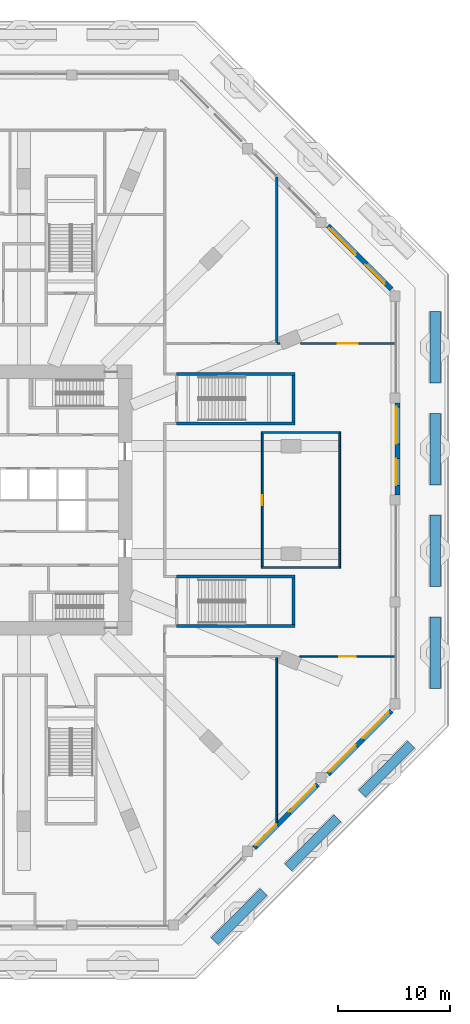
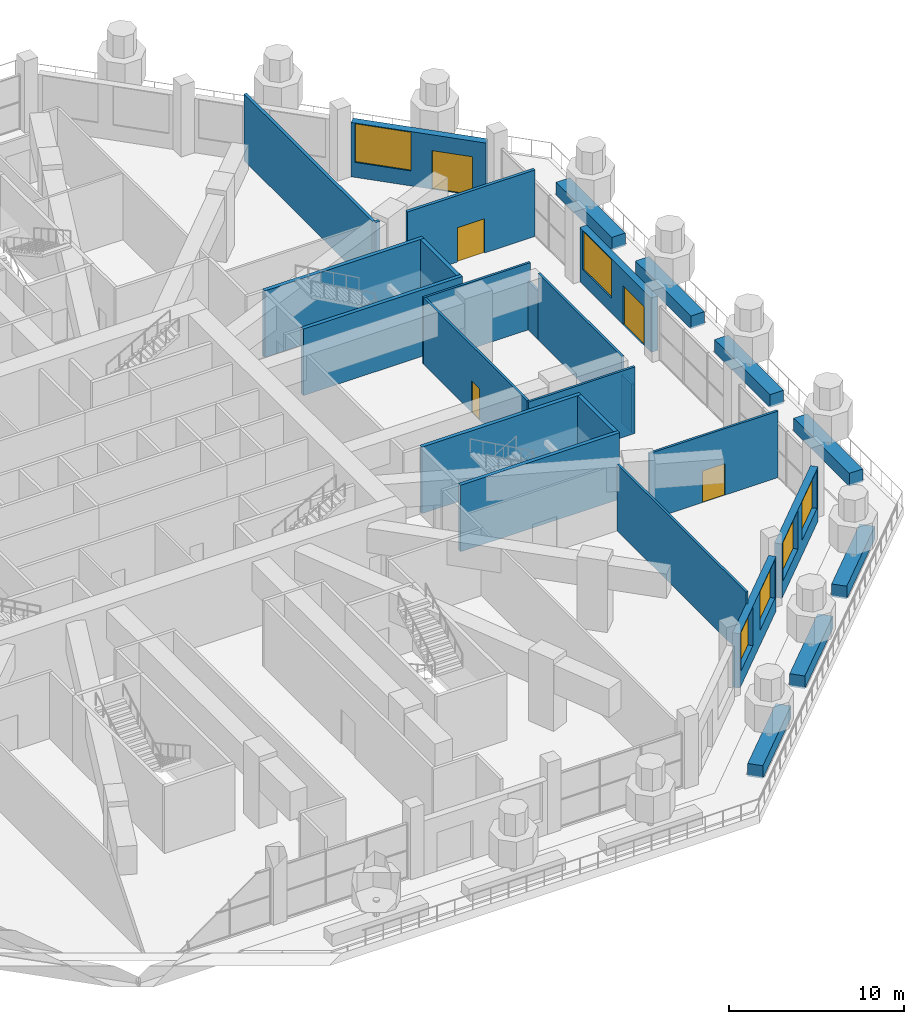
# One storey, part 19 of 25: 28 walls, 6 windows, 5 doors, 11 openings.
"""IFC4 building model written with IfcOpenShell, lengths in metres."""

import ifcopenshell
import ifcopenshell.guid

model = None  # the IFC model being written
_history = None  # IfcOwnerHistory: only IFC2X3 demands one
_inside = {}  # id of a spatial element -> (the spatial element, [elements in it])
_under = {}  # id of a project, library or spatial element -> (it, [spatial elements below it])
_declared = {}  # id of a project -> (the project, [libraries it declares])
_typed = {}  # id of a type object -> (the type object, [elements of that type])
_made_of = {}  # id of a material, layer set ... -> (it, [elements and type objects made of it])


def new_model(schema):
    """Start an empty IFC model of exactly this schema.

    Asked for "IFC4X3", IfcOpenShell would pick the latest addendum, in which some entities
    have other attributes; the version numbers below select the first issue.
    IFC2X3 requires an IfcOwnerHistory on every rooted entity: one is made here for all.
    """
    global model, _history
    if schema == "IFC4X3":
        model = ifcopenshell.file(schema_version=(4, 3, 0, 0))
    else:
        model = ifcopenshell.file(schema=schema)
    _inside.clear()
    _under.clear()
    _declared.clear()
    _typed.clear()
    _made_of.clear()
    _history = None
    if model.schema == "IFC2X3":
        org = make("IfcOrganization", Name="unknown")
        user = make(
            "IfcPersonAndOrganization",
            ThePerson=make("IfcPerson", FamilyName="unknown"),
            TheOrganization=org,
        )
        app = make(
            "IfcApplication",
            ApplicationDeveloper=org,
            Version="unknown",
            ApplicationFullName="unknown",
            ApplicationIdentifier="unknown",
        )
        _history = make(
            "IfcOwnerHistory",
            OwningUser=user,
            OwningApplication=app,
            ChangeAction="ADDED",
            CreationDate=0,
        )
    return model


def make(cls, **values):
    """One entity of the class cls with the attributes given. An attribute that is None is left unset."""
    return model.create_entity(
        cls, **{name: value for name, value in values.items() if value is not None}
    )


def rooted(cls, **values):
    """An entity with a GlobalId (a new one), such as an element, a storey or a relation."""
    return make(cls, GlobalId=ifcopenshell.guid.new(), OwnerHistory=_history, **values)


def si_unit(unit_type, name, prefix=None):
    """IfcSIUnit, for example si_unit("LENGTHUNIT", "METRE", prefix="MILLI")."""
    return make("IfcSIUnit", UnitType=unit_type, Prefix=prefix, Name=name)


def assignment(units):
    """IfcUnitAssignment: the units of a project."""
    return None if units is None else make("IfcUnitAssignment", Units=units)


def point(xyz):
    """IfcCartesianPoint."""
    return None if xyz is None else make("IfcCartesianPoint", Coordinates=xyz)


def direction(xyz):
    """IfcDirection."""
    return None if xyz is None else make("IfcDirection", DirectionRatios=xyz)


def frame(location, z_axis=None, x_axis=None):
    """IfcAxis2Placement3D, a coordinate frame: its origin and axes. An axis left out is left unset."""
    return make(
        "IfcAxis2Placement3D",
        Location=point(location),
        Axis=direction(z_axis),
        RefDirection=direction(x_axis),
    )


def frame_2d(location, x_axis=None):
    """IfcAxis2Placement2D, a coordinate frame in the plane: its origin and x axis."""
    return make(
        "IfcAxis2Placement2D", Location=point(location), RefDirection=direction(x_axis)
    )


def origin():
    """The frame at (0, 0, 0) with its axes left unset."""
    return frame((0.0, 0.0, 0.0))


def place(relative_to, where):
    """IfcLocalPlacement: puts the frame where relative to a parent placement (None: the world)."""
    return make(
        "IfcLocalPlacement", PlacementRelTo=relative_to, RelativePlacement=where
    )


def context(
    kind, dimensions, precision=None, world=None, true_north=None, identifier=None
):
    """IfcGeometricRepresentationContext, for example the 3D "Model" context."""
    return make(
        "IfcGeometricRepresentationContext",
        ContextIdentifier=identifier,
        ContextType=kind,
        CoordinateSpaceDimension=dimensions,
        Precision=precision,
        WorldCoordinateSystem=world,
        TrueNorth=true_north,
    )


def subcontext(parent, identifier, kind, view, scale=None):
    """IfcGeometricRepresentationSubContext, for example "Body" below "Model"."""
    return make(
        "IfcGeometricRepresentationSubContext",
        ContextIdentifier=identifier,
        ContextType=kind,
        ParentContext=parent,
        TargetScale=scale,
        TargetView=view,
    )


def project(units=None, contexts=None):
    """IfcProject with its units and contexts."""
    return rooted(
        "IfcProject",
        Name="project",
        RepresentationContexts=contexts,
        UnitsInContext=assignment(units),
    )


def spatial(cls, under=None, at=None, **own):
    """A site, building, storey or space (cls), placed at a placement, below another one or the project."""
    s = rooted(cls, ObjectPlacement=at, **own)
    if under is not None:
        _under.setdefault(under.id(), (under, []))[1].append(s)
    return s


def profile(cls, at=None, kind="AREA", **sizes):
    """A parametric profile (cls). Its sizes go by their IFC names, for example OverallWidth=200.0."""
    return make(cls, ProfileType=kind, Position=at, **sizes)


def rectangle(**sizes):
    """IfcRectangleProfileDef."""
    return profile("IfcRectangleProfileDef", **sizes)


def extrude(swept, where, along, depth):
    """IfcExtrudedAreaSolid: the profile swept, set in the frame where, extruded along a direction by depth."""
    return make(
        "IfcExtrudedAreaSolid",
        SweptArea=swept,
        Position=where,
        ExtrudedDirection=direction(along),
        Depth=depth,
    )


def shape(context_of_items, identifier, shape_type, items):
    """IfcShapeRepresentation: the items that make up one representation, for example the "Body"."""
    return make(
        "IfcShapeRepresentation",
        ContextOfItems=context_of_items,
        RepresentationIdentifier=identifier,
        RepresentationType=shape_type,
        Items=items,
    )


def material(Name=None, Category=None):
    """IfcMaterial."""
    return make("IfcMaterial", Name=Name, Category=Category)


def layer(
    of_material, thickness, ventilated=None, Name=None, Category=None, Priority=None
):
    """IfcMaterialLayer: one layer of a wall or slab, of a material (None: an air gap)."""
    return make(
        "IfcMaterialLayer",
        Material=of_material,
        LayerThickness=thickness,
        IsVentilated=ventilated,
        Name=Name,
        Category=Category,
        Priority=Priority,
    )


def layer_set(layers, Name=None):
    """IfcMaterialLayerSet."""
    return make("IfcMaterialLayerSet", MaterialLayers=layers, LayerSetName=Name)


def made_of(thing, what):
    """Note that an element or type object is made of a material, layer set ...; save() writes the relation."""
    if what is not None:
        _made_of.setdefault(what.id(), (what, []))[1].append(thing)
    return thing


def type_object(cls, material=None, **own):
    """A type object (cls), such as IfcWallType, which elements share."""
    return made_of(rooted(cls, **own), material)


def element(
    cls,
    number,
    at=None,
    inside=None,
    cuts=None,
    type_object=None,
    material=None,
    context=None,
    identifier="Body",
    shape_type=None,
    held_by="IfcProductDefinitionShape",
    body=None,
    shapes=None,
    **own,
):
    """One element of the class cls, such as IfcWall. Its Tag is "e" and its number.

    at: its placement. inside: the storey or other place that contains it. cuts: it is an
    opening in that element (IfcRelVoidsElement). A single representation is given by context,
    identifier, shape_type and body (its items); several are given by shapes. held_by: the class
    of the entity that holds the representations. save() writes the other relations.
    """
    e = rooted(cls, Tag="e%d" % number, ObjectPlacement=at, **own)
    if body is not None:
        shapes = [shape(context, identifier, shape_type, body)]
    if shapes is not None:
        e.Representation = make(held_by, Representations=shapes)
    if inside is not None:
        _inside.setdefault(inside.id(), (inside, []))[1].append(e)
    if cuts is not None:
        rooted(
            "IfcRelVoidsElement", RelatingBuildingElement=cuts, RelatedOpeningElement=e
        )
    if type_object is not None:
        _typed.setdefault(type_object.id(), (type_object, []))[1].append(e)
    return made_of(e, material)


def fill(opening, filler):
    """IfcRelFillsElement: the door or window that sits in an opening."""
    return rooted(
        "IfcRelFillsElement",
        RelatingOpeningElement=opening,
        RelatedBuildingElement=filler,
    )


def aggregate(whole, parts):
    """IfcRelAggregates: a whole, such as a stair, and the parts it consists of."""
    return rooted("IfcRelAggregates", RelatingObject=whole, RelatedObjects=parts)


def save(model, path):
    """Write the relations noted so far, then the file.

    IfcRelAggregates (storeys below a building ...), IfcRelContainedInSpatialStructure (elements
    in a storey), IfcRelDefinesByType, IfcRelAssociatesMaterial and IfcRelDeclares: one each for
    every whole, place, type object, material and project.
    """
    for whole, parts in _under.values():
        aggregate(whole, parts)
    for where, things in _inside.values():
        rooted(
            "IfcRelContainedInSpatialStructure",
            RelatedElements=things,
            RelatingStructure=where,
        )
    for kind, things in _typed.values():
        rooted("IfcRelDefinesByType", RelatedObjects=things, RelatingType=kind)
    for what, things in _made_of.values():
        rooted("IfcRelAssociatesMaterial", RelatedObjects=things, RelatingMaterial=what)
    for by, libraries in _declared.values():
        rooted("IfcRelDeclares", RelatingContext=by, RelatedDefinitions=libraries)
    model.write(path)


model = new_model("IFC4")

# Units and contexts
model_context = context("Model", 3, precision=1e-05, world=origin(), true_north=direction((0.0, 1.0)))
body_context = subcontext(model_context, "Body", "Model", "MODEL_VIEW")
ifc_project = project(units=[si_unit("LENGTHUNIT", "METRE"), si_unit("AREAUNIT", "SQUARE_METRE"), si_unit("VOLUMEUNIT", "CUBIC_METRE"), si_unit("PLANEANGLEUNIT", "RADIAN"), si_unit("MASSUNIT", "GRAM", prefix="KILO")], contexts=[model_context])

# Site, building, storey
site_placement = place(None, origin())
site = spatial("IfcSite", under=ifc_project, at=site_placement, CompositionType="ELEMENT")
building_placement = place(site_placement, origin())
building = spatial("IfcBuilding", under=site, at=building_placement, Name="Msitu Wima Residences", CompositionType="ELEMENT")
storey_placement = place(building_placement, frame((0.0, 0.0, 11.0)))
storey = spatial("IfcBuildingStorey", under=building, at=storey_placement, Name="L02", CompositionType="ELEMENT", Elevation=11.0)

# Wall, openings, door, window
ifc_material_1 = material(Name="Brick (red buff mix), cavity wall of two leaves", Category="masonry")
ifc_layer_1 = layer(ifc_material_1, 0.449951171875)
ifc_layer_set_1 = layer_set([ifc_layer_1], Name="Brick (red buff mix), cavity wall of two leaves")
wall_type_1 = type_object("IfcWallType", Name="Brick infill wall BW450 podium", PredefinedType="ELEMENTEDWALL", material=ifc_layer_set_1)
wall_1_placement = place(storey_placement, frame((38.02490234375, 0.449951171875, 0.0), z_axis=(0.0, 0.0, 1.0), x_axis=(0.0, 1.0, 0.0)))
wall_1 = element("IfcWall", 1, at=wall_1_placement, inside=storey, type_object=wall_type_1, Name="Brick infill wall L02 E2", PredefinedType="ELEMENTEDWALL", context=body_context, shape_type="SweptSolid", body=[
    extrude(rectangle(XDim=8.1640625, YDim=0.449951171875, at=frame_2d((4.08203125, 0.0))), origin(), (0.0, 0.0, 1.0), 3.800048828125),
])
opening_1_placement = place(wall_1_placement, frame((0.841064453125, 0.0, 0.0)))
opening_1 = element("IfcOpeningElement", 2, at=opening_1_placement, cuts=wall_1, Name="Opening D02.001", PredefinedType="OPENING", context=body_context, shape_type="SweptSolid", body=[
    extrude(rectangle(XDim=2.39990234375, YDim=2.699951171875, at=frame_2d((1.199951171875, 1.35009765625))), frame((0.0, 0.23486328125, 0.0), z_axis=(0.0, -1.0, 0.0), x_axis=(1.0, 0.0, 0.0)), (0.0, 0.0, 1.0), 0.469970703125),
])
opening_2_placement = place(wall_1_placement, frame((4.531982421875, 0.0, 1.050048828125)))
opening_2 = element("IfcOpeningElement", 3, at=opening_2_placement, cuts=wall_1, Name="Opening W02.001", PredefinedType="OPENING", context=body_context, shape_type="SweptSolid", body=[
    extrude(rectangle(XDim=3.300048828125, YDim=2.699951171875, at=frame_2d((1.64990234375, 1.35009765625))), frame((0.0, 0.23486328125, 0.0), z_axis=(0.0, -1.0, 0.0), x_axis=(1.0, 0.0, 0.0)), (0.0, 0.0, 1.0), 0.469970703125),
])
ifc_material_2 = material(Name="Anodised aluminium, bronze finish, clear low-emissivity double glazing", Category="aluminium")
door_type_1 = type_object("IfcDoorType", Name="Balcony door D2400x2700", OperationType="SLIDING_TO_LEFT", PredefinedType="DOOR", material=ifc_material_2)
door_1_placement = place(opening_1_placement, origin())
door_1 = element("IfcDoor", 4, at=door_1_placement, inside=storey, type_object=door_type_1, Name="Terrace door L02 E2", OperationType="SINGLE_SWING_LEFT", OverallHeight=2.699951171875, OverallWidth=2.39990234375, PredefinedType="DOOR", context=body_context, shape_type="SweptSolid", body=[
    extrude(rectangle(XDim=2.39990234375, YDim=2.699951171875, at=frame_2d((1.199951171875, 1.35009765625))), frame((0.0, 0.1298828125, 0.0), z_axis=(0.0, -1.0, 0.0), x_axis=(1.0, 0.0, 0.0)), (0.0, 0.0, 1.0), 0.050048828125),
])
fill(opening_1, door_1)
window_type_1 = type_object("IfcWindowType", Name="Window W3300x2700", PartitioningType="DOUBLE_PANEL_VERTICAL", PredefinedType="WINDOW", material=ifc_material_2)
window_1_placement = place(opening_2_placement, origin())
window_1 = element("IfcWindow", 5, at=window_1_placement, inside=storey, type_object=window_type_1, Name="Window L02 E2.2", OverallHeight=2.699951171875, OverallWidth=3.300048828125, PartitioningType="SINGLE_PANEL", PredefinedType="WINDOW", context=body_context, shape_type="SweptSolid", body=[
    extrude(rectangle(XDim=3.300048828125, YDim=2.699951171875, at=frame_2d((1.64990234375, 1.35009765625))), frame((0.0, 0.135009765625, 0.0), z_axis=(0.0, -1.0, 0.0), x_axis=(1.0, 0.0, 0.0)), (0.0, 0.0, 1.0), 0.06005859375),
])
fill(opening_2, window_1)

wall_2_placement = place(storey_placement, frame((37.509033203125, 18.737060546875, 0.0), z_axis=(0.0, 0.0, 1.0), x_axis=(-0.707106781187, 0.707106781187, 0.0)))
wall_2 = element("IfcWall", 6, at=wall_2_placement, inside=storey, type_object=wall_type_1, Name="Brick infill wall L02 NE0", PredefinedType="ELEMENTEDWALL", context=body_context, shape_type="SweptSolid", body=[
    extrude(rectangle(XDim=8.00048828125, YDim=0.449951171875, at=frame_2d((4.000244140625, 0.0))), origin(), (0.0, 0.0, 1.0), 3.800048828125),
])
opening_3_placement = place(wall_2_placement, frame((0.80029296875, 0.0, 0.0)))
opening_3 = element("IfcOpeningElement", 7, at=opening_3_placement, cuts=wall_2, Name="Opening D02.003", PredefinedType="OPENING", context=body_context, shape_type="SweptSolid", body=[
    extrude(rectangle(XDim=2.39990234375, YDim=2.699951171875, at=frame_2d((1.199951171875, 1.35009765625))), frame((0.0, 0.23486328125, 0.0), z_axis=(0.0, -1.0, 0.0), x_axis=(1.0, 0.0, 0.0)), (0.0, 0.0, 1.0), 0.469970703125),
])
opening_4_placement = place(wall_2_placement, frame((4.450439453125, 0.0, 1.050048828125)))
opening_4 = element("IfcOpeningElement", 8, at=opening_4_placement, cuts=wall_2, Name="Opening W02.003", PredefinedType="OPENING", context=body_context, shape_type="SweptSolid", body=[
    extrude(rectangle(XDim=3.300048828125, YDim=2.699951171875, at=frame_2d((1.64990234375, 1.35009765625))), frame((0.0, 0.23486328125, 0.0), z_axis=(0.0, -1.0, 0.0), x_axis=(1.0, 0.0, 0.0)), (0.0, 0.0, 1.0), 0.469970703125),
])
door_2_placement = place(opening_3_placement, origin())
door_2 = element("IfcDoor", 9, at=door_2_placement, inside=storey, type_object=door_type_1, Name="Terrace door L02 NE0", OperationType="SINGLE_SWING_LEFT", OverallHeight=2.699951171875, OverallWidth=2.39990234375, PredefinedType="DOOR", context=body_context, shape_type="SweptSolid", body=[
    extrude(rectangle(XDim=2.39990234375, YDim=2.699951171875, at=frame_2d((1.199951171875, 1.35009765625))), frame((0.0, 0.1298828125, 0.0), z_axis=(0.0, -1.0, 0.0), x_axis=(1.0, 0.0, 0.0)), (0.0, 0.0, 1.0), 0.050048828125),
])
fill(opening_3, door_2)
window_2_placement = place(opening_4_placement, origin())
window_2 = element("IfcWindow", 10, at=window_2_placement, inside=storey, type_object=window_type_1, Name="Window L02 NE0.2", OverallHeight=2.699951171875, OverallWidth=3.300048828125, PartitioningType="SINGLE_PANEL", PredefinedType="WINDOW", context=body_context, shape_type="SweptSolid", body=[
    extrude(rectangle(XDim=3.300048828125, YDim=2.699951171875, at=frame_2d((1.64990234375, 1.35009765625))), frame((0.0, 0.135009765625, 0.0), z_axis=(0.0, -1.0, 0.0), x_axis=(1.0, 0.0, 0.0)), (0.0, 0.0, 1.0), 0.06005859375),
])
fill(opening_4, window_2)

# Wall, openings, windows
wall_3_placement = place(storey_placement, frame((25.29443359375, -30.95166015625, 0.0), z_axis=(0.0, 0.0, 1.0), x_axis=(0.707106781187, 0.707106781187, 0.0)))
wall_3 = element("IfcWall", 11, at=wall_3_placement, inside=storey, type_object=wall_type_1, Name="Brick infill wall L02 SE1", PredefinedType="ELEMENTEDWALL", context=body_context, shape_type="SweptSolid", body=[
    extrude(rectangle(XDim=8.00048828125, YDim=0.449951171875, at=frame_2d((4.000244140625, 0.0))), origin(), (0.0, 0.0, 1.0), 3.800048828125),
])
opening_5_placement = place(wall_3_placement, frame((0.250244140625, 0.0, 1.050048828125)))
opening_5 = element("IfcOpeningElement", 12, at=opening_5_placement, cuts=wall_3, Name="Opening W02.017", PredefinedType="OPENING", context=body_context, shape_type="SweptSolid", body=[
    extrude(rectangle(XDim=2.60009765625, YDim=2.699951171875, at=frame_2d((1.300048828125, 1.35009765625))), frame((0.0, 0.23486328125, 0.0), z_axis=(0.0, -1.0, 0.0), x_axis=(1.0, 0.0, 0.0)), (0.0, 0.0, 1.0), 0.469970703125),
])
opening_6_placement = place(wall_3_placement, frame((4.450439453125, 0.0, 1.050048828125)))
opening_6 = element("IfcOpeningElement", 13, at=opening_6_placement, cuts=wall_3, Name="Opening W02.018", PredefinedType="OPENING", context=body_context, shape_type="SweptSolid", body=[
    extrude(rectangle(XDim=3.300048828125, YDim=2.699951171875, at=frame_2d((1.64990234375, 1.35009765625))), frame((0.0, 0.23486328125, 0.0), z_axis=(0.0, -1.0, 0.0), x_axis=(1.0, 0.0, 0.0)), (0.0, 0.0, 1.0), 0.469970703125),
])
window_type_2 = type_object("IfcWindowType", Name="Window W2600x2700", PartitioningType="DOUBLE_PANEL_VERTICAL", PredefinedType="WINDOW", material=ifc_material_2)
window_3_placement = place(opening_5_placement, origin())
window_3 = element("IfcWindow", 14, at=window_3_placement, inside=storey, type_object=window_type_2, Name="Window L02 SE1.1a", OverallHeight=2.699951171875, OverallWidth=2.60009765625, PartitioningType="SINGLE_PANEL", PredefinedType="WINDOW", context=body_context, shape_type="SweptSolid", body=[
    extrude(rectangle(XDim=2.60009765625, YDim=2.699951171875, at=frame_2d((1.300048828125, 1.35009765625))), frame((0.0, 0.135009765625, 0.0), z_axis=(0.0, -1.0, 0.0), x_axis=(1.0, 0.0, 0.0)), (0.0, 0.0, 1.0), 0.06005859375),
])
fill(opening_5, window_3)
window_4_placement = place(opening_6_placement, origin())
window_4 = element("IfcWindow", 15, at=window_4_placement, inside=storey, type_object=window_type_1, Name="Window L02 SE1.2", OverallHeight=2.699951171875, OverallWidth=3.300048828125, PartitioningType="SINGLE_PANEL", PredefinedType="WINDOW", context=body_context, shape_type="SweptSolid", body=[
    extrude(rectangle(XDim=3.300048828125, YDim=2.699951171875, at=frame_2d((1.64990234375, 1.35009765625))), frame((0.0, 0.135009765625, 0.0), z_axis=(0.0, -1.0, 0.0), x_axis=(1.0, 0.0, 0.0)), (0.0, 0.0, 1.0), 0.06005859375),
])
fill(opening_6, window_4)

wall_4_placement = place(storey_placement, frame((31.851806640625, -24.394287109375, 0.0), z_axis=(0.0, 0.0, 1.0), x_axis=(0.707106781187, 0.707106781187, 0.0)))
wall_4 = element("IfcWall", 16, at=wall_4_placement, inside=storey, type_object=wall_type_1, Name="Brick infill wall L02 SE2", PredefinedType="ELEMENTEDWALL", context=body_context, shape_type="SweptSolid", body=[
    extrude(rectangle(XDim=8.00048828125, YDim=0.449951171875, at=frame_2d((4.000244140625, 0.0))), origin(), (0.0, 0.0, 1.0), 3.800048828125),
])
opening_7_placement = place(wall_4_placement, frame((0.250244140625, 0.0, 1.050048828125)))
opening_7 = element("IfcOpeningElement", 17, at=opening_7_placement, cuts=wall_4, Name="Opening W02.019", PredefinedType="OPENING", context=body_context, shape_type="SweptSolid", body=[
    extrude(rectangle(XDim=3.300048828125, YDim=2.699951171875, at=frame_2d((1.64990234375, 1.35009765625))), frame((0.0, 0.23486328125, 0.0), z_axis=(0.0, -1.0, 0.0), x_axis=(1.0, 0.0, 0.0)), (0.0, 0.0, 1.0), 0.469970703125),
])
opening_8_placement = place(wall_4_placement, frame((4.450439453125, 0.0, 1.050048828125)))
opening_8 = element("IfcOpeningElement", 18, at=opening_8_placement, cuts=wall_4, Name="Opening W02.020", PredefinedType="OPENING", context=body_context, shape_type="SweptSolid", body=[
    extrude(rectangle(XDim=3.300048828125, YDim=2.699951171875, at=frame_2d((1.64990234375, 1.35009765625))), frame((0.0, 0.23486328125, 0.0), z_axis=(0.0, -1.0, 0.0), x_axis=(1.0, 0.0, 0.0)), (0.0, 0.0, 1.0), 0.469970703125),
])
window_5_placement = place(opening_7_placement, origin())
window_5 = element("IfcWindow", 19, at=window_5_placement, inside=storey, type_object=window_type_1, Name="Window L02 SE2.1", OverallHeight=2.699951171875, OverallWidth=3.300048828125, PartitioningType="SINGLE_PANEL", PredefinedType="WINDOW", context=body_context, shape_type="SweptSolid", body=[
    extrude(rectangle(XDim=3.300048828125, YDim=2.699951171875, at=frame_2d((1.64990234375, 1.35009765625))), frame((0.0, 0.135009765625, 0.0), z_axis=(0.0, -1.0, 0.0), x_axis=(1.0, 0.0, 0.0)), (0.0, 0.0, 1.0), 0.06005859375),
])
fill(opening_7, window_5)
window_6_placement = place(opening_8_placement, origin())
window_6 = element("IfcWindow", 20, at=window_6_placement, inside=storey, type_object=window_type_1, Name="Window L02 SE2.2", OverallHeight=2.699951171875, OverallWidth=3.300048828125, PartitioningType="SINGLE_PANEL", PredefinedType="WINDOW", context=body_context, shape_type="SweptSolid", body=[
    extrude(rectangle(XDim=3.300048828125, YDim=2.699951171875, at=frame_2d((1.64990234375, 1.35009765625))), frame((0.0, 0.135009765625, 0.0), z_axis=(0.0, -1.0, 0.0), x_axis=(1.0, 0.0, 0.0)), (0.0, 0.0, 1.0), 0.06005859375),
])
fill(opening_8, window_6)

# Wall, opening, door
ifc_material_3 = material(Name="Plaster")
ifc_layer_2 = layer(ifc_material_3, 0.011962890625, Name="Plaster")
ifc_material_4 = material(Name="Concrete blockwork", Category="masonry")
ifc_layer_3 = layer(ifc_material_4, 0.1259765625, Name="Concrete blockwork")
ifc_layer_4 = layer(ifc_material_3, 0.011962890625, Name="Plaster")
ifc_layer_set_2 = layer_set([ifc_layer_2, ifc_layer_3, ifc_layer_4], Name="Concrete blockwork")
wall_type_2 = type_object("IfcWallType", Name="Partition PW150", PredefinedType="PARTITIONING", material=ifc_layer_set_2)
wall_5_placement = place(storey_placement, frame((29.34326171875, -13.91357421875, 0.0), z_axis=(0.0, 0.0, 1.0), x_axis=(1.0, 0.0, 0.0)))
wall_5 = element("IfcWall", 21, at=wall_5_placement, inside=storey, type_object=wall_type_2, Name="Partition", PredefinedType="PARTITIONING", context=body_context, shape_type="SweptSolid", body=[
    extrude(rectangle(XDim=8.51171875, YDim=0.14990234375, at=frame_2d((4.255859375, 0.0))), origin(), (0.0, 0.0, 1.0), 4.64990234375),
])
opening_9_placement = place(wall_5_placement, frame((3.5, 0.0, 0.0)))
opening_9 = element("IfcOpeningElement", 22, at=opening_9_placement, cuts=wall_5, Name="Opening D02.032", PredefinedType="OPENING", context=body_context, shape_type="SweptSolid", body=[
    extrude(rectangle(XDim=1.5, YDim=2.199951171875, at=frame_2d((0.75, 1.10009765625))), frame((0.0, 0.0849609375, 0.0), z_axis=(0.0, -1.0, 0.0), x_axis=(1.0, 0.0, 0.0)), (0.0, 0.0, 1.0), 0.169921875),
])
ifc_material_5 = material(Name="Timber double door", Category="wood")
door_type_2 = type_object("IfcDoorType", Name="Double door D04 1500x2200", OperationType="DOUBLE_DOOR_SINGLE_SWING", PredefinedType="DOOR", material=ifc_material_5)
door_3_placement = place(opening_9_placement, origin())
door_3 = element("IfcDoor", 23, at=door_3_placement, inside=storey, type_object=door_type_2, Name="Double door", OperationType="DOUBLE_DOOR_SINGLE_SWING", OverallHeight=2.199951171875, OverallWidth=1.5, PredefinedType="DOOR", context=body_context, shape_type="SweptSolid", body=[
    extrude(rectangle(XDim=1.5, YDim=2.199951171875, at=frame_2d((0.75, 1.10009765625))), frame((0.0, 0.02490234375, 0.0), z_axis=(0.0, -1.0, 0.0), x_axis=(1.0, 0.0, 0.0)), (0.0, 0.0, 1.0), 0.050048828125),
])
fill(opening_9, door_3)

wall_6_placement = place(storey_placement, frame((26.0, -5.925048828125, 0.0), z_axis=(0.0, 0.0, 1.0), x_axis=(0.0, 1.0, 0.0)))
wall_6 = element("IfcWall", 24, at=wall_6_placement, inside=storey, type_object=wall_type_2, Name="Partition", PredefinedType="PARTITIONING", context=body_context, shape_type="SweptSolid", body=[
    extrude(rectangle(XDim=11.85009765625, YDim=0.14990234375, at=frame_2d((5.925048828125, 0.0))), origin(), (0.0, 0.0, 1.0), 4.64990234375),
])
opening_10_placement = place(wall_6_placement, frame((5.449951171875, 0.0, 0.0)))
opening_10 = element("IfcOpeningElement", 25, at=opening_10_placement, cuts=wall_6, Name="Opening D02.068", PredefinedType="OPENING", context=body_context, shape_type="SweptSolid", body=[
    extrude(rectangle(XDim=0.89990234375, YDim=2.199951171875, at=frame_2d((0.449951171875, 1.10009765625))), frame((0.0, 0.0849609375, 0.0), z_axis=(0.0, -1.0, 0.0), x_axis=(1.0, 0.0, 0.0)), (0.0, 0.0, 1.0), 0.169921875),
])
ifc_material_6 = material(Name="Timber flush door", Category="wood")
door_type_3 = type_object("IfcDoorType", Name="Service door D05 900x2200", OperationType="SINGLE_SWING_LEFT", PredefinedType="DOOR", material=ifc_material_6)
door_4_placement = place(opening_10_placement, origin())
door_4 = element("IfcDoor", 26, at=door_4_placement, inside=storey, type_object=door_type_3, Name="Service door", OperationType="SINGLE_SWING_LEFT", OverallHeight=2.199951171875, OverallWidth=0.89990234375, PredefinedType="DOOR", context=body_context, shape_type="SweptSolid", body=[
    extrude(rectangle(XDim=0.89990234375, YDim=2.199951171875, at=frame_2d((0.449951171875, 1.10009765625))), frame((0.0, 0.02490234375, 0.0), z_axis=(0.0, -1.0, 0.0), x_axis=(1.0, 0.0, 0.0)), (0.0, 0.0, 1.0), 0.050048828125),
])
fill(opening_10, door_4)

# Walls
for number, where, z_axis, x_axis, name in (
    (27, (25.925048828125, -6.0, 0.0), (0.0, 0.0, 1.0), (1.0, 0.0, 0.0), "Partition"),
    (28, (25.925048828125, 6.0, 0.0), (0.0, 0.0, 1.0), (1.0, 0.0, 0.0), "Partition"),
):
    element("IfcWall", number, at=place(storey_placement, frame(where, z_axis=z_axis, x_axis=x_axis)), inside=storey, type_object=wall_type_2, Name=name, PredefinedType="PARTITIONING", context=body_context, shape_type="SweptSolid", body=[
        extrude(rectangle(XDim=7.050048828125, YDim=0.14990234375, at=frame_2d((3.52490234375, 0.0))), origin(), (0.0, 0.0, 1.0), 4.64990234375),
    ])
wall_7_placement = place(storey_placement, frame((27.2919921875, -28.7138671875, 0.0), z_axis=(0.0, 0.0, 1.0), x_axis=(0.0, 1.0, 0.0)))
element("IfcWall", 29, at=wall_7_placement, inside=storey, type_object=wall_type_2, Name="Partition", PredefinedType="PARTITIONING", context=body_context, shape_type="SweptSolid", body=[
    extrude(rectangle(XDim=14.725341796875, YDim=0.14990234375, at=frame_2d((7.36279296875, 0.0))), origin(), (0.0, 0.0, 1.0), 4.64990234375),
])
wall_8_placement = place(storey_placement, frame((32.89990234375, -5.925048828125, 0.0), z_axis=(0.0, 0.0, 1.0), x_axis=(0.0, 1.0, 0.0)))
element("IfcWall", 30, at=wall_8_placement, inside=storey, type_object=wall_type_2, Name="Partition", PredefinedType="PARTITIONING", context=body_context, shape_type="SweptSolid", body=[
    extrude(rectangle(XDim=1.125, YDim=0.14990234375, at=frame_2d((0.5625, 0.0))), origin(), (0.0, 0.0, 1.0), 3.39990234375),
])
wall_9_placement = place(storey_placement, frame((32.89990234375, -4.800048828125, 0.0), z_axis=(0.0, 0.0, 1.0), x_axis=(0.0, 1.0, 0.0)))
element("IfcWall", 31, at=wall_9_placement, inside=storey, type_object=wall_type_2, Name="Partition", PredefinedType="PARTITIONING", context=body_context, shape_type="SweptSolid", body=[
    extrude(rectangle(XDim=9.60009765625, YDim=0.14990234375, at=frame_2d((4.800048828125, 0.0))), origin(), (0.0, 0.0, 1.0), 4.64990234375),
])
wall_10_placement = place(storey_placement, frame((32.89990234375, 4.800048828125, 0.0), z_axis=(0.0, 0.0, 1.0), x_axis=(0.0, 1.0, 0.0)))
element("IfcWall", 32, at=wall_10_placement, inside=storey, type_object=wall_type_2, Name="Partition", PredefinedType="PARTITIONING", context=body_context, shape_type="SweptSolid", body=[
    extrude(rectangle(XDim=1.125, YDim=0.14990234375, at=frame_2d((0.5625, 0.0))), origin(), (0.0, 0.0, 1.0), 3.39990234375),
])
ifc_layer_5 = layer(ifc_material_3, 0.011962890625, Name="Plaster")
ifc_material_7 = material(Name="Reinforced concrete blockwork", Category="masonry")
ifc_layer_6 = layer(ifc_material_7, 0.176025390625, Name="Reinforced concrete blockwork")
ifc_layer_7 = layer(ifc_material_3, 0.011962890625, Name="Plaster")
ifc_layer_set_3 = layer_set([ifc_layer_5, ifc_layer_6, ifc_layer_7], Name="Reinforced concrete blockwork")
wall_type_3 = type_object("IfcWallType", Name="Plant and riser wall PL200", PredefinedType="PARTITIONING", material=ifc_layer_set_3)
wall_11_placement = place(storey_placement, frame((27.311767578125, 13.91357421875, 0.0), z_axis=(0.0, 0.0, 1.0), x_axis=(1.0, 0.0, 0.0)))
element("IfcWall", 33, at=wall_11_placement, inside=storey, type_object=wall_type_3, Name="Plant and riser wall", PredefinedType="PARTITIONING", context=body_context, shape_type="SweptSolid", body=[
    extrude(rectangle(XDim=0.280517578125, YDim=0.199951171875, at=frame_2d((0.14013671875, 0.0))), origin(), (0.0, 0.0, 1.0), 4.64990234375),
])

# Wall, opening, door
wall_12_placement = place(storey_placement, frame((29.413330078125, 13.91357421875, 0.0), z_axis=(0.0, 0.0, 1.0), x_axis=(1.0, 0.0, 0.0)))
wall_12 = element("IfcWall", 34, at=wall_12_placement, inside=storey, type_object=wall_type_3, Name="Plant and riser wall", PredefinedType="PARTITIONING", context=body_context, shape_type="SweptSolid", body=[
    extrude(rectangle(XDim=8.441650390625, YDim=0.199951171875, at=frame_2d((4.220703125, 0.0))), origin(), (0.0, 0.0, 1.0), 4.64990234375),
])
opening_11_placement = place(wall_12_placement, frame((3.300048828125, 0.0, 0.0)))
opening_11 = element("IfcOpeningElement", 35, at=opening_11_placement, cuts=wall_12, Name="Opening D02.031", PredefinedType="OPENING", context=body_context, shape_type="SweptSolid", body=[
    extrude(rectangle(XDim=1.800048828125, YDim=2.39990234375, at=frame_2d((0.89990234375, 1.199951171875))), frame((0.0, 0.10986328125, 0.0), z_axis=(0.0, -1.0, 0.0), x_axis=(1.0, 0.0, 0.0)), (0.0, 0.0, 1.0), 0.219970703125),
])
ifc_material_8 = material(Name="Steel door, fire resisting", Category="steel")
door_type_4 = type_object("IfcDoorType", Name="Plant room door D09 1800x2400", OperationType="DOUBLE_DOOR_SINGLE_SWING", PredefinedType="DOOR", material=ifc_material_8)
door_5_placement = place(opening_11_placement, origin())
door_5 = element("IfcDoor", 36, at=door_5_placement, inside=storey, type_object=door_type_4, Name="Plant room door", OperationType="DOUBLE_DOOR_SINGLE_SWING", OverallHeight=2.39990234375, OverallWidth=1.800048828125, PredefinedType="DOOR", context=body_context, shape_type="SweptSolid", body=[
    extrude(rectangle(XDim=1.800048828125, YDim=2.39990234375, at=frame_2d((0.89990234375, 1.199951171875))), frame((0.0, 0.02490234375, 0.0), z_axis=(0.0, -1.0, 0.0), x_axis=(1.0, 0.0, 0.0)), (0.0, 0.0, 1.0), 0.050048828125),
])
fill(opening_11, door_5)

# Walls
wall_13_placement = place(storey_placement, frame((27.2919921875, 14.013427734375, 0.0), z_axis=(0.0, 0.0, 1.0), x_axis=(0.0, 1.0, 0.0)))
element("IfcWall", 37, at=wall_13_placement, inside=storey, type_object=wall_type_3, Name="Plant and riser wall", PredefinedType="PARTITIONING", context=body_context, shape_type="SweptSolid", body=[
    extrude(rectangle(XDim=14.700439453125, YDim=0.199951171875, at=frame_2d((7.35009765625, 0.0))), origin(), (0.0, 0.0, 1.0), 4.64990234375),
])
ifc_material_9 = material(Name="Concrete C50/60", Category="concrete")
ifc_layer_8 = layer(ifc_material_9, 0.25)
ifc_layer_set_4 = layer_set([ifc_layer_8], Name="Concrete C50/60")
wall_type_4 = type_object("IfcWallType", Name="Stair enclosure wall SW250", PredefinedType="SHEAR", material=ifc_layer_set_4)
for number, where, z_axis, x_axis, name in (
    (38, (18.39990234375, -11.199951171875, 0.0), (0.0, 0.0, 1.0), (1.0, 0.0, 0.0), "Stair enclosure wall"),
    (39, (18.39990234375, -6.800048828125, 0.0), (0.0, 0.0, 1.0), (1.0, 0.0, 0.0), "Stair enclosure wall"),
    (40, (18.39990234375, 6.800048828125, 0.0), (0.0, 0.0, 1.0), (1.0, 0.0, 0.0), "Stair enclosure wall"),
    (41, (18.39990234375, 11.199951171875, 0.0), (0.0, 0.0, 1.0), (1.0, 0.0, 0.0), "Stair enclosure wall"),
):
    element("IfcWall", number, at=place(storey_placement, frame(where, z_axis=z_axis, x_axis=x_axis)), inside=storey, type_object=wall_type_4, Name=name, PredefinedType="SHEAR", context=body_context, shape_type="SweptSolid", body=[
        extrude(rectangle(XDim=10.525146484375, YDim=0.25, at=frame_2d((5.2626953125, 0.0))), origin(), (0.0, 0.0, 1.0), 4.64990234375),
    ])
for number, where, z_axis, x_axis, name in (
    (42, (28.800048828125, -11.074951171875, 0.0), (0.0, 0.0, 1.0), (0.0, 1.0, 0.0), "Stair enclosure wall"),
    (43, (28.800048828125, 6.925048828125, 0.0), (0.0, 0.0, 1.0), (0.0, 1.0, 0.0), "Stair enclosure wall"),
):
    element("IfcWall", number, at=place(storey_placement, frame(where, z_axis=z_axis, x_axis=x_axis)), inside=storey, type_object=wall_type_4, Name=name, PredefinedType="SHEAR", context=body_context, shape_type="SweptSolid", body=[
        extrude(rectangle(XDim=4.14990234375, YDim=0.25, at=frame_2d((2.074951171875, 0.0))), origin(), (0.0, 0.0, 1.0), 4.64990234375),
    ])
ifc_material_10 = material(Name="Facing brick")
ifc_layer_9 = layer(ifc_material_10, 0.06494140625, Name="Facing brick")
ifc_material_11 = material(Name="Concrete C40/50", Category="concrete")
ifc_layer_10 = layer(ifc_material_11, 0.381103515625, Name="Concrete C40/50")
ifc_material_12 = material(Name="Waterproofing membrane")
ifc_layer_11 = layer(ifc_material_12, 0.00390625, Name="Waterproofing membrane")
ifc_material_13 = material(Name="Planting soil and planting")
ifc_layer_12 = layer(ifc_material_13, 0.449951171875, Name="Planting soil and planting")
ifc_layer_set_5 = layer_set([ifc_layer_9, ifc_layer_10, ifc_layer_11, ifc_layer_12], Name="Concrete C40/50")
wall_type_5 = type_object("IfcWallType", Name="Terrace planter PLANTER PL900", PredefinedType="USERDEFINED", material=ifc_layer_set_5)
for number, where, z_axis, x_axis, name in (
    (44, (41.39990234375, -16.77783203125, 0.0), (0.0, 0.0, 1.0), (0.0, 1.0, 0.0), "Terrace planter L02 E0"),
    (45, (41.39990234375, -7.7138671875, 0.0), (0.0, 0.0, 1.0), (0.0, 1.0, 0.0), "Terrace planter L02 E1"),
    (46, (41.39990234375, 1.35009765625, 0.0), (0.0, 0.0, 1.0), (0.0, 1.0, 0.0), "Terrace planter L02 E2"),
    (47, (41.39990234375, 10.4140625, 0.0), (0.0, 0.0, 1.0), (0.0, 1.0, 0.0), "Terrace planter L02 E3"),
):
    element("IfcWall", number, at=place(storey_placement, frame(where, z_axis=z_axis, x_axis=x_axis)), inside=storey, type_object=wall_type_5, Name=name, ObjectType="PLANTER", PredefinedType="USERDEFINED", context=body_context, shape_type="SweptSolid", body=[
        extrude(rectangle(XDim=6.36376953125, YDim=0.89990234375, at=frame_2d((3.181884765625, 0.0))), origin(), (0.0, 0.0, 1.0), 0.89990234375),
    ])
wall_14_placement = place(storey_placement, frame((21.760009765625, -39.25927734375, 0.0), z_axis=(0.0, 0.0, 1.0), x_axis=(0.707087094764, 0.707126467061, 0.0)))
element("IfcWall", 48, at=wall_14_placement, inside=storey, type_object=wall_type_5, Name="Terrace planter L02 SE0", ObjectType="PLANTER", PredefinedType="USERDEFINED", context=body_context, shape_type="SweptSolid", body=[
    extrude(rectangle(XDim=6.200927734375, YDim=0.89990234375, at=frame_2d((3.1005859375, 0.0))), origin(), (0.0, 0.0, 1.0), 0.89990234375),
])
wall_15_placement = place(storey_placement, frame((28.3173828125, -32.701904296875, 0.0), z_axis=(0.0, 0.0, 1.0), x_axis=(0.707106781187, 0.707106781187, 0.0)))
element("IfcWall", 49, at=wall_15_placement, inside=storey, type_object=wall_type_5, Name="Terrace planter L02 SE1", ObjectType="PLANTER", PredefinedType="USERDEFINED", context=body_context, shape_type="SweptSolid", body=[
    extrude(rectangle(XDim=6.20068359375, YDim=0.89990234375, at=frame_2d((3.100341796875, 0.0))), origin(), (0.0, 0.0, 1.0), 0.89990234375),
])
wall_16_placement = place(storey_placement, frame((34.87451171875, -26.14453125, 0.0), z_axis=(0.0, 0.0, 1.0), x_axis=(0.707126467061, 0.707087094764, 0.0)))
element("IfcWall", 50, at=wall_16_placement, inside=storey, type_object=wall_type_5, Name="Terrace planter L02 SE2", ObjectType="PLANTER", PredefinedType="USERDEFINED", context=body_context, shape_type="SweptSolid", body=[
    extrude(rectangle(XDim=6.200927734375, YDim=0.89990234375, at=frame_2d((3.1005859375, 0.0))), origin(), (0.0, 0.0, 1.0), 0.89990234375),
])

save(model, "model.ifc")
